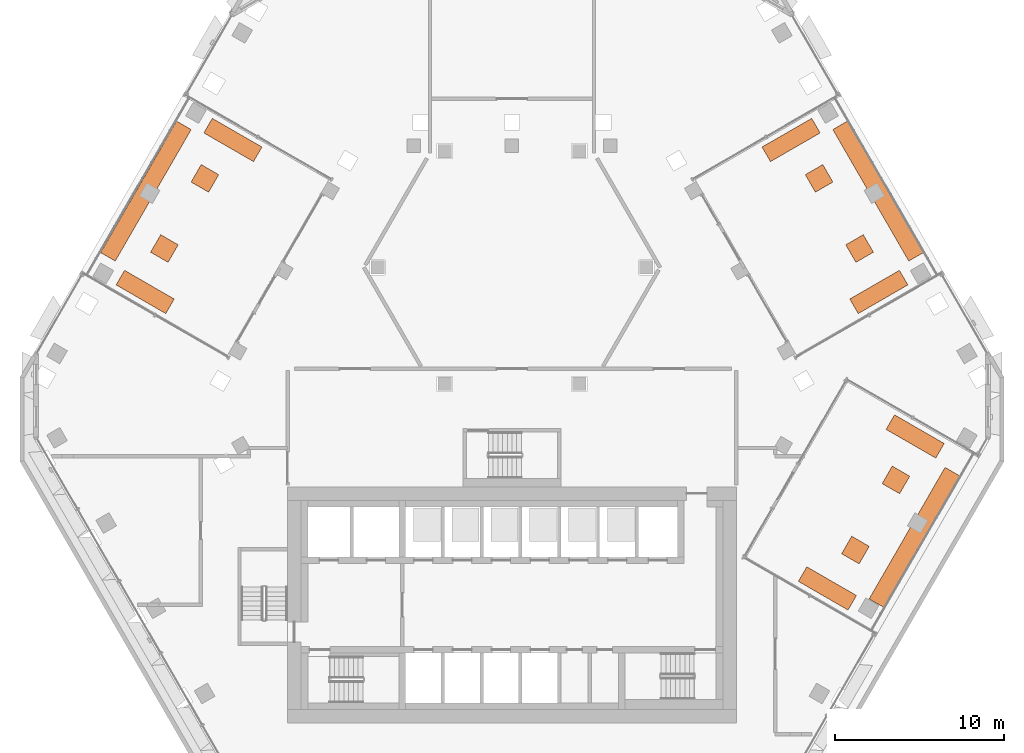
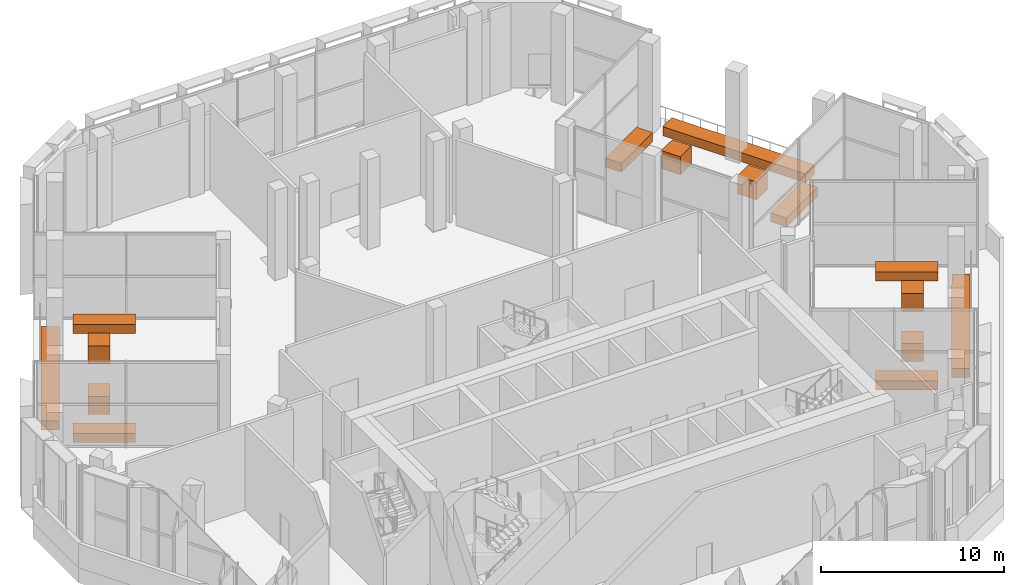
# One storey, part 27 of 27: 15 proxies.
"""IFC4 building model written with IfcOpenShell, lengths in metres."""

from ifc_helpers import new_model, si_unit, direction, frame, origin, place, context, subcontext, project, spatial, polyline, outline, extrude, material, type_object, element, save


model = new_model("IFC4")

# Units and contexts
model_context = context("Model", 3, precision=1e-05, world=origin(), true_north=direction((0.0, 1.0)))
body_context = subcontext(model_context, "Body", "Model", "MODEL_VIEW")
ifc_project = project(units=[si_unit("LENGTHUNIT", "METRE"), si_unit("AREAUNIT", "SQUARE_METRE"), si_unit("VOLUMEUNIT", "CUBIC_METRE"), si_unit("PLANEANGLEUNIT", "RADIAN"), si_unit("MASSUNIT", "GRAM", prefix="KILO")], contexts=[model_context])

# Site, building, storey
site_placement = place(None, origin())
site = spatial("IfcSite", under=ifc_project, at=site_placement, CompositionType="ELEMENT")
building_placement = place(site_placement, origin())
building = spatial("IfcBuilding", under=site, at=building_placement, Name="Beryl Residences", CompositionType="ELEMENT")
storey_placement = place(building_placement, frame((0.0, 0.0, 111.60009765625)))
storey = spatial("IfcBuildingStorey", under=building, at=storey_placement, Name="L34", CompositionType="ELEMENT", Elevation=111.60009765625)

# Proxies
ifc_material_1 = material(Name="Planting soil in precast concrete C40/50 trough", Category="concrete")
building_element_proxy_type_1 = type_object("IfcBuildingElementProxyType", Name="PL1 planter bed 600 mm", PredefinedType="USERDEFINED", material=ifc_material_1)
proxy_1_placement = place(storey_placement, origin())
element("IfcBuildingElementProxy", 1, at=proxy_1_placement, inside=storey, type_object=building_element_proxy_type_1, Name="PL1 planter bed L34 NW 1", ObjectType="PLANTER", PredefinedType="USERDEFINED", context=body_context, shape_type="SweptSolid", body=[
    extrude(outline(polyline([(-19.876953125, 16.672119140625), (-24.376953125, 8.8779296875), (-23.510986328125, 8.3779296875), (-19.010986328125, 16.172119140625), (-19.876953125, 16.672119140625)])), origin(), (0.0, 0.0, 1.0), 0.599853515625),
])
proxy_2_placement = place(storey_placement, origin())
element("IfcBuildingElementProxy", 2, at=proxy_2_placement, inside=storey, type_object=building_element_proxy_type_1, Name="PL1 planter bed L34 NW 2", ObjectType="PLANTER", PredefinedType="USERDEFINED", context=body_context, shape_type="SweptSolid", body=[
    extrude(outline(polyline([(-17.761962890625, 16.8359375), (-18.261962890625, 15.969970703125), (-15.31689453125, 14.27001953125), (-14.81689453125, 15.135986328125), (-17.761962890625, 16.8359375)])), origin(), (0.0, 0.0, 1.0), 0.599853515625),
])
proxy_3_placement = place(storey_placement, origin())
element("IfcBuildingElementProxy", 3, at=proxy_3_placement, inside=storey, type_object=building_element_proxy_type_1, Name="PL1 planter bed L34 NW 3", ObjectType="PLANTER", PredefinedType="USERDEFINED", context=body_context, shape_type="SweptSolid", body=[
    extrude(outline(polyline([(-22.9619140625, 7.830078125), (-23.4619140625, 6.964111328125), (-20.51708984375, 5.263916015625), (-20.01708984375, 6.1298828125), (-22.9619140625, 7.830078125)])), origin(), (0.0, 0.0, 1.0), 0.599853515625),
])
proxy_4_placement = place(storey_placement, origin())
element("IfcBuildingElementProxy", 4, at=proxy_4_placement, inside=storey, type_object=building_element_proxy_type_1, Name="PL1 planter bed L34 NE 1", ObjectType="PLANTER", PredefinedType="USERDEFINED", context=body_context, shape_type="SweptSolid", body=[
    extrude(outline(polyline([(24.376953125, 8.8779296875), (19.876953125, 16.672119140625), (19.010986328125, 16.172119140625), (23.510986328125, 8.3779296875), (24.376953125, 8.8779296875)])), origin(), (0.0, 0.0, 1.0), 0.599853515625),
])
proxy_5_placement = place(storey_placement, origin())
element("IfcBuildingElementProxy", 5, at=proxy_5_placement, inside=storey, type_object=building_element_proxy_type_1, Name="PL1 planter bed L34 NE 2", ObjectType="PLANTER", PredefinedType="USERDEFINED", context=body_context, shape_type="SweptSolid", body=[
    extrude(outline(polyline([(23.4619140625, 6.964111328125), (22.9619140625, 7.830078125), (20.01708984375, 6.1298828125), (20.51708984375, 5.263916015625), (23.4619140625, 6.964111328125)])), origin(), (0.0, 0.0, 1.0), 0.599853515625),
])
proxy_6_placement = place(storey_placement, origin())
element("IfcBuildingElementProxy", 6, at=proxy_6_placement, inside=storey, type_object=building_element_proxy_type_1, Name="PL1 planter bed L34 NE 3", ObjectType="PLANTER", PredefinedType="USERDEFINED", context=body_context, shape_type="SweptSolid", body=[
    extrude(outline(polyline([(18.261962890625, 15.969970703125), (17.761962890625, 16.8359375), (14.81689453125, 15.135986328125), (15.31689453125, 14.27001953125), (18.261962890625, 15.969970703125)])), origin(), (0.0, 0.0, 1.0), 0.599853515625),
])
proxy_7_placement = place(storey_placement, origin())
element("IfcBuildingElementProxy", 7, at=proxy_7_placement, inside=storey, type_object=building_element_proxy_type_1, Name="PL1 planter bed L34 SE 1", ObjectType="PLANTER", PredefinedType="USERDEFINED", context=body_context, shape_type="SweptSolid", body=[
    extrude(outline(polyline([(22.030029296875, -12.14208984375), (26.530029296875, -4.347900390625), (25.6640625, -3.847900390625), (21.1640625, -11.64208984375), (22.030029296875, -12.14208984375)])), origin(), (0.0, 0.0, 1.0), 0.599853515625),
])
proxy_8_placement = place(storey_placement, origin())
element("IfcBuildingElementProxy", 8, at=proxy_8_placement, inside=storey, type_object=building_element_proxy_type_1, Name="PL1 planter bed L34 SE 2", ObjectType="PLANTER", PredefinedType="USERDEFINED", context=body_context, shape_type="SweptSolid", body=[
    extrude(outline(polyline([(19.9150390625, -12.305908203125), (20.4150390625, -11.43994140625), (17.469970703125, -9.739990234375), (16.969970703125, -10.60595703125), (19.9150390625, -12.305908203125)])), origin(), (0.0, 0.0, 1.0), 0.599853515625),
])
proxy_9_placement = place(storey_placement, origin())
element("IfcBuildingElementProxy", 9, at=proxy_9_placement, inside=storey, type_object=building_element_proxy_type_1, Name="PL1 planter bed L34 SE 3", ObjectType="PLANTER", PredefinedType="USERDEFINED", context=body_context, shape_type="SweptSolid", body=[
    extrude(outline(polyline([(25.114990234375, -3.300048828125), (25.614990234375, -2.43408203125), (22.669921875, -0.73388671875), (22.169921875, -1.60009765625), (25.114990234375, -3.300048828125)])), origin(), (0.0, 0.0, 1.0), 0.599853515625),
])
ifc_material_2 = material(Name="Planting soil in precast concrete C40/50 trough", Category="concrete")
building_element_proxy_type_2 = type_object("IfcBuildingElementProxyType", Name="PL2 tree planter 1200 mm", PredefinedType="USERDEFINED", material=ifc_material_2)
proxy_10_placement = place(storey_placement, origin())
element("IfcBuildingElementProxy", 10, at=proxy_10_placement, inside=storey, type_object=building_element_proxy_type_2, Name="PL2 tree planter L34 NW 1", ObjectType="PLANTER", PredefinedType="USERDEFINED", context=body_context, shape_type="SweptSolid", body=[
    extrude(outline(polyline([(-18.4189453125, 14.097900390625), (-19.01904296875, 13.05908203125), (-17.97998046875, 12.458984375), (-17.3798828125, 13.498046875), (-18.4189453125, 14.097900390625)])), origin(), (0.0, 0.0, 1.0), 1.199951171875),
])
proxy_11_placement = place(storey_placement, origin())
element("IfcBuildingElementProxy", 11, at=proxy_11_placement, inside=storey, type_object=building_element_proxy_type_2, Name="PL2 tree planter L34 NW 2", ObjectType="PLANTER", PredefinedType="USERDEFINED", context=body_context, shape_type="SweptSolid", body=[
    extrude(outline(polyline([(-20.819091796875, 9.94091796875), (-21.4189453125, 8.902099609375), (-20.3798828125, 8.302001953125), (-19.780029296875, 9.341064453125), (-20.819091796875, 9.94091796875)])), origin(), (0.0, 0.0, 1.0), 1.199951171875),
])
proxy_12_placement = place(storey_placement, origin())
element("IfcBuildingElementProxy", 12, at=proxy_12_placement, inside=storey, type_object=building_element_proxy_type_2, Name="PL2 tree planter L34 NE 1", ObjectType="PLANTER", PredefinedType="USERDEFINED", context=body_context, shape_type="SweptSolid", body=[
    extrude(outline(polyline([(21.4189453125, 8.902099609375), (20.819091796875, 9.94091796875), (19.780029296875, 9.341064453125), (20.3798828125, 8.302001953125), (21.4189453125, 8.902099609375)])), origin(), (0.0, 0.0, 1.0), 1.199951171875),
])
proxy_13_placement = place(storey_placement, origin())
element("IfcBuildingElementProxy", 13, at=proxy_13_placement, inside=storey, type_object=building_element_proxy_type_2, Name="PL2 tree planter L34 NE 2", ObjectType="PLANTER", PredefinedType="USERDEFINED", context=body_context, shape_type="SweptSolid", body=[
    extrude(outline(polyline([(19.01904296875, 13.05908203125), (18.4189453125, 14.097900390625), (17.3798828125, 13.498046875), (17.97998046875, 12.458984375), (19.01904296875, 13.05908203125)])), origin(), (0.0, 0.0, 1.0), 1.199951171875),
])
proxy_14_placement = place(storey_placement, origin())
element("IfcBuildingElementProxy", 14, at=proxy_14_placement, inside=storey, type_object=building_element_proxy_type_2, Name="PL2 tree planter L34 SE 1", ObjectType="PLANTER", PredefinedType="USERDEFINED", context=body_context, shape_type="SweptSolid", body=[
    extrude(outline(polyline([(20.572021484375, -9.568115234375), (21.172119140625, -8.529052734375), (20.133056640625, -7.928955078125), (19.532958984375, -8.968017578125), (20.572021484375, -9.568115234375)])), origin(), (0.0, 0.0, 1.0), 1.199951171875),
])
proxy_15_placement = place(storey_placement, origin())
element("IfcBuildingElementProxy", 15, at=proxy_15_placement, inside=storey, type_object=building_element_proxy_type_2, Name="PL2 tree planter L34 SE 2", ObjectType="PLANTER", PredefinedType="USERDEFINED", context=body_context, shape_type="SweptSolid", body=[
    extrude(outline(polyline([(22.971923828125, -5.410888671875), (23.572021484375, -4.3720703125), (22.532958984375, -3.77197265625), (21.93310546875, -4.81103515625), (22.971923828125, -5.410888671875)])), origin(), (0.0, 0.0, 1.0), 1.199951171875),
])

save(model, "model.ifc")
